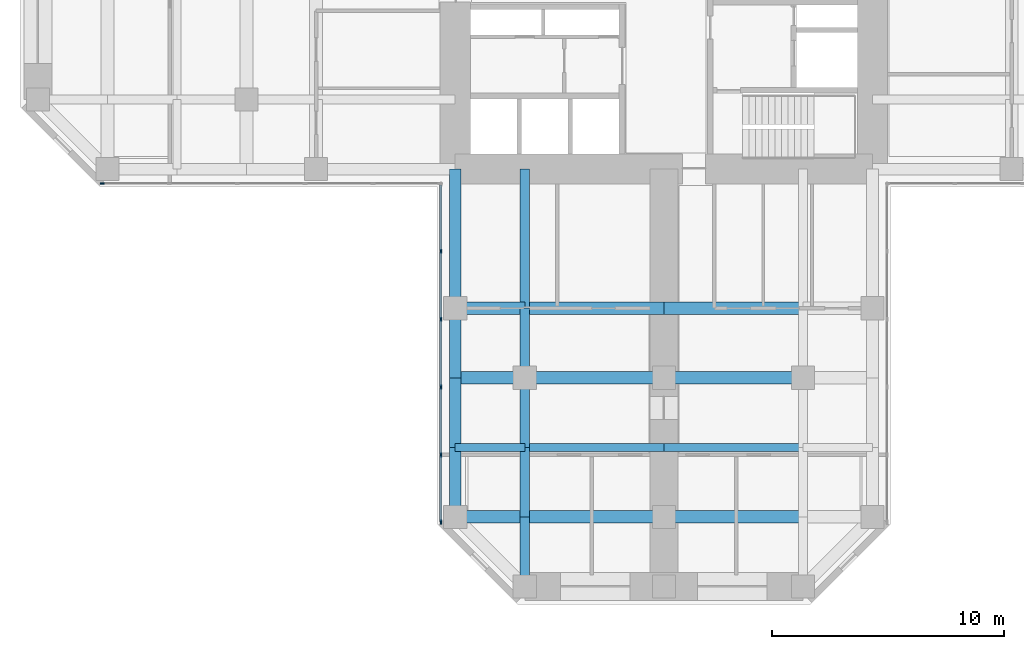
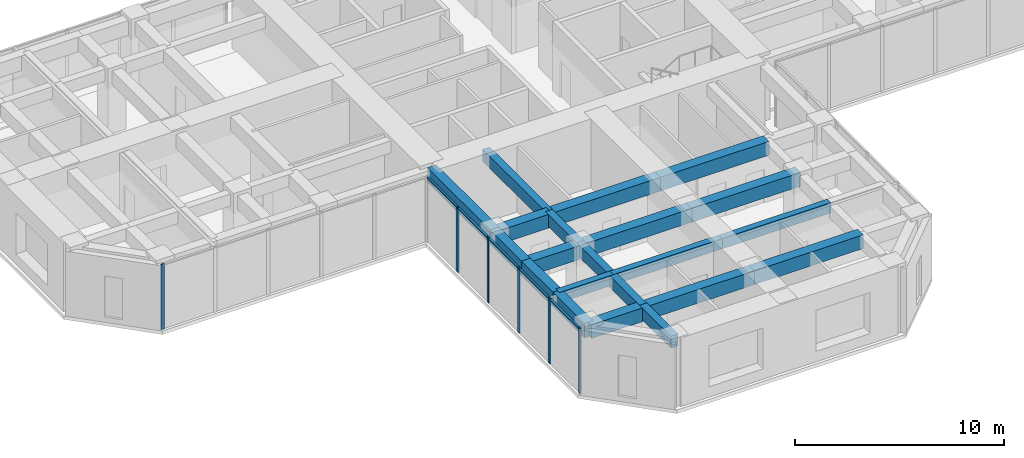
# One storey, part 2 of 13: 21 beams, 11 members, 2 elements without a shape of their own.
"""IFC4 building model written with IfcOpenShell, lengths in metres."""

import ifcopenshell
import ifcopenshell.guid

model = None  # the IFC model being written
_history = None  # IfcOwnerHistory: only IFC2X3 demands one
_inside = {}  # id of a spatial element -> (the spatial element, [elements in it])
_under = {}  # id of a project, library or spatial element -> (it, [spatial elements below it])
_declared = {}  # id of a project -> (the project, [libraries it declares])
_typed = {}  # id of a type object -> (the type object, [elements of that type])
_made_of = {}  # id of a material, layer set ... -> (it, [elements and type objects made of it])


def new_model(schema):
    """Start an empty IFC model of exactly this schema.

    Asked for "IFC4X3", IfcOpenShell would pick the latest addendum, in which some entities
    have other attributes; the version numbers below select the first issue.
    IFC2X3 requires an IfcOwnerHistory on every rooted entity: one is made here for all.
    """
    global model, _history
    if schema == "IFC4X3":
        model = ifcopenshell.file(schema_version=(4, 3, 0, 0))
    else:
        model = ifcopenshell.file(schema=schema)
    _inside.clear()
    _under.clear()
    _declared.clear()
    _typed.clear()
    _made_of.clear()
    _history = None
    if model.schema == "IFC2X3":
        org = make("IfcOrganization", Name="unknown")
        user = make(
            "IfcPersonAndOrganization",
            ThePerson=make("IfcPerson", FamilyName="unknown"),
            TheOrganization=org,
        )
        app = make(
            "IfcApplication",
            ApplicationDeveloper=org,
            Version="unknown",
            ApplicationFullName="unknown",
            ApplicationIdentifier="unknown",
        )
        _history = make(
            "IfcOwnerHistory",
            OwningUser=user,
            OwningApplication=app,
            ChangeAction="ADDED",
            CreationDate=0,
        )
    return model


def make(cls, **values):
    """One entity of the class cls with the attributes given. An attribute that is None is left unset."""
    return model.create_entity(
        cls, **{name: value for name, value in values.items() if value is not None}
    )


def rooted(cls, **values):
    """An entity with a GlobalId (a new one), such as an element, a storey or a relation."""
    return make(cls, GlobalId=ifcopenshell.guid.new(), OwnerHistory=_history, **values)


def si_unit(unit_type, name, prefix=None):
    """IfcSIUnit, for example si_unit("LENGTHUNIT", "METRE", prefix="MILLI")."""
    return make("IfcSIUnit", UnitType=unit_type, Prefix=prefix, Name=name)


def assignment(units):
    """IfcUnitAssignment: the units of a project."""
    return None if units is None else make("IfcUnitAssignment", Units=units)


def point(xyz):
    """IfcCartesianPoint."""
    return None if xyz is None else make("IfcCartesianPoint", Coordinates=xyz)


def direction(xyz):
    """IfcDirection."""
    return None if xyz is None else make("IfcDirection", DirectionRatios=xyz)


def frame(location, z_axis=None, x_axis=None):
    """IfcAxis2Placement3D, a coordinate frame: its origin and axes. An axis left out is left unset."""
    return make(
        "IfcAxis2Placement3D",
        Location=point(location),
        Axis=direction(z_axis),
        RefDirection=direction(x_axis),
    )


def frame_2d(location, x_axis=None):
    """IfcAxis2Placement2D, a coordinate frame in the plane: its origin and x axis."""
    return make(
        "IfcAxis2Placement2D", Location=point(location), RefDirection=direction(x_axis)
    )


def origin():
    """The frame at (0, 0, 0) with its axes left unset."""
    return frame((0.0, 0.0, 0.0))


def origin_2d():
    """The frame at (0, 0) in the plane with its x axis left unset."""
    return frame_2d((0.0, 0.0))


def place(relative_to, where):
    """IfcLocalPlacement: puts the frame where relative to a parent placement (None: the world)."""
    return make(
        "IfcLocalPlacement", PlacementRelTo=relative_to, RelativePlacement=where
    )


def context(
    kind, dimensions, precision=None, world=None, true_north=None, identifier=None
):
    """IfcGeometricRepresentationContext, for example the 3D "Model" context."""
    return make(
        "IfcGeometricRepresentationContext",
        ContextIdentifier=identifier,
        ContextType=kind,
        CoordinateSpaceDimension=dimensions,
        Precision=precision,
        WorldCoordinateSystem=world,
        TrueNorth=true_north,
    )


def subcontext(parent, identifier, kind, view, scale=None):
    """IfcGeometricRepresentationSubContext, for example "Body" below "Model"."""
    return make(
        "IfcGeometricRepresentationSubContext",
        ContextIdentifier=identifier,
        ContextType=kind,
        ParentContext=parent,
        TargetScale=scale,
        TargetView=view,
    )


def project(units=None, contexts=None):
    """IfcProject with its units and contexts."""
    return rooted(
        "IfcProject",
        Name="project",
        RepresentationContexts=contexts,
        UnitsInContext=assignment(units),
    )


def spatial(cls, under=None, at=None, **own):
    """A site, building, storey or space (cls), placed at a placement, below another one or the project."""
    s = rooted(cls, ObjectPlacement=at, **own)
    if under is not None:
        _under.setdefault(under.id(), (under, []))[1].append(s)
    return s


def profile(cls, at=None, kind="AREA", **sizes):
    """A parametric profile (cls). Its sizes go by their IFC names, for example OverallWidth=200.0."""
    return make(cls, ProfileType=kind, Position=at, **sizes)


def rectangle(**sizes):
    """IfcRectangleProfileDef."""
    return profile("IfcRectangleProfileDef", **sizes)


def extrude(swept, where, along, depth):
    """IfcExtrudedAreaSolid: the profile swept, set in the frame where, extruded along a direction by depth."""
    return make(
        "IfcExtrudedAreaSolid",
        SweptArea=swept,
        Position=where,
        ExtrudedDirection=direction(along),
        Depth=depth,
    )


def shape(context_of_items, identifier, shape_type, items):
    """IfcShapeRepresentation: the items that make up one representation, for example the "Body"."""
    return make(
        "IfcShapeRepresentation",
        ContextOfItems=context_of_items,
        RepresentationIdentifier=identifier,
        RepresentationType=shape_type,
        Items=items,
    )


def material(Name=None, Category=None):
    """IfcMaterial."""
    return make("IfcMaterial", Name=Name, Category=Category)


def material_profile(
    of_material, cross_section, Name=None, Category=None, Priority=None
):
    """IfcMaterialProfile: a cross section and its material."""
    return make(
        "IfcMaterialProfile",
        Name=Name,
        Material=of_material,
        Profile=cross_section,
        Priority=Priority,
        Category=Category,
    )


def profile_set(profiles, Name=None, composite=None):
    """IfcMaterialProfileSet."""
    return make(
        "IfcMaterialProfileSet",
        Name=Name,
        MaterialProfiles=profiles,
        CompositeProfile=composite,
    )


def made_of(thing, what):
    """Note that an element or type object is made of a material, layer set ...; save() writes the relation."""
    if what is not None:
        _made_of.setdefault(what.id(), (what, []))[1].append(thing)
    return thing


def type_object(cls, material=None, **own):
    """A type object (cls), such as IfcWallType, which elements share."""
    return made_of(rooted(cls, **own), material)


def element(
    cls,
    number,
    at=None,
    inside=None,
    cuts=None,
    type_object=None,
    material=None,
    context=None,
    identifier="Body",
    shape_type=None,
    held_by="IfcProductDefinitionShape",
    body=None,
    shapes=None,
    **own,
):
    """One element of the class cls, such as IfcWall. Its Tag is "e" and its number.

    at: its placement. inside: the storey or other place that contains it. cuts: it is an
    opening in that element (IfcRelVoidsElement). A single representation is given by context,
    identifier, shape_type and body (its items); several are given by shapes. held_by: the class
    of the entity that holds the representations. save() writes the other relations.
    """
    e = rooted(cls, Tag="e%d" % number, ObjectPlacement=at, **own)
    if body is not None:
        shapes = [shape(context, identifier, shape_type, body)]
    if shapes is not None:
        e.Representation = make(held_by, Representations=shapes)
    if inside is not None:
        _inside.setdefault(inside.id(), (inside, []))[1].append(e)
    if cuts is not None:
        rooted(
            "IfcRelVoidsElement", RelatingBuildingElement=cuts, RelatedOpeningElement=e
        )
    if type_object is not None:
        _typed.setdefault(type_object.id(), (type_object, []))[1].append(e)
    return made_of(e, material)


def aggregate(whole, parts):
    """IfcRelAggregates: a whole, such as a stair, and the parts it consists of."""
    return rooted("IfcRelAggregates", RelatingObject=whole, RelatedObjects=parts)


def save(model, path):
    """Write the relations noted so far, then the file.

    IfcRelAggregates (storeys below a building ...), IfcRelContainedInSpatialStructure (elements
    in a storey), IfcRelDefinesByType, IfcRelAssociatesMaterial and IfcRelDeclares: one each for
    every whole, place, type object, material and project.
    """
    for whole, parts in _under.values():
        aggregate(whole, parts)
    for where, things in _inside.values():
        rooted(
            "IfcRelContainedInSpatialStructure",
            RelatedElements=things,
            RelatingStructure=where,
        )
    for kind, things in _typed.values():
        rooted("IfcRelDefinesByType", RelatedObjects=things, RelatingType=kind)
    for what, things in _made_of.values():
        rooted("IfcRelAssociatesMaterial", RelatedObjects=things, RelatingMaterial=what)
    for by, libraries in _declared.values():
        rooted("IfcRelDeclares", RelatingContext=by, RelatedDefinitions=libraries)
    model.write(path)


model = new_model("IFC4")

# Units and contexts
model_context = context("Model", 3, precision=1e-05, world=origin(), true_north=direction((0.0, 1.0)))
body_context = subcontext(model_context, "Body", "Model", "MODEL_VIEW")
ifc_project = project(units=[si_unit("LENGTHUNIT", "METRE"), si_unit("AREAUNIT", "SQUARE_METRE"), si_unit("VOLUMEUNIT", "CUBIC_METRE"), si_unit("PLANEANGLEUNIT", "RADIAN"), si_unit("MASSUNIT", "GRAM", prefix="KILO")], contexts=[model_context])

# Site, building, storey
site_placement = place(None, origin())
site = spatial("IfcSite", under=ifc_project, at=site_placement, CompositionType="ELEMENT")
building_placement = place(site_placement, origin())
building = spatial("IfcBuilding", under=site, at=building_placement, Name="Torre Cruceta", CompositionType="ELEMENT")
storey_placement = place(building_placement, frame((0.0, 0.0, 156.5)))
storey = spatial("IfcBuildingStorey", under=building, at=storey_placement, Name="L38", CompositionType="ELEMENT", Elevation=156.5)

# Beams
ifc_material_1 = material(Name="Concrete G60 (fck 60 MPa)", Category="concrete")
ifc_material_profile_1 = material_profile(ifc_material_1, rectangle(XDim=0.39990234375, YDim=0.699951171875, at=origin_2d()), Name="RC 400X700")
ifc_profile_set_1 = profile_set([ifc_material_profile_1], Name="Concrete G60 (fck 60 MPa)")
beam_type_1 = type_object("IfcBeamType", Name="COLUMN LINE BEAM RC 400X700", PredefinedType="BEAM", material=ifc_profile_set_1)
beam_1_placement = place(storey_placement, frame((-6.0, -9.0, 3.449951171875), z_axis=(0.0, -1.0, 0.0), x_axis=(1.0, 0.0, 0.0)))
element("IfcBeam", 1, at=beam_1_placement, inside=storey, type_object=beam_type_1, Name="LB5 L38 S col- 1", PredefinedType="BEAM", context=body_context, shape_type="SweptSolid", body=[
    extrude(rectangle(XDim=0.39990234375, YDim=0.699951171875, at=origin_2d()), origin(), (0.0, 0.0, 1.0), 6.0),
])
for number, where, z_axis, x_axis, name in (
    (2, (-6.0, -15.0, 3.449951171875), (0.0, -1.0, 0.0), (1.0, 0.0, 0.0), "LB5 L38 S col- 2"),
    (3, (-6.0, -18.0, 3.449951171875), (0.0, -1.0, 0.0), (1.0, 0.0, 0.0), "LB5 L38 S col- 3"),
    (4, (-6.0, -21.0, 3.449951171875), (0.0, -1.0, 0.0), (1.0, 0.0, 0.0), "LB5 L38 S col- 4"),
    (5, (-6.0, -24.0, 3.449951171875), (0.0, -1.0, 0.0), (1.0, 0.0, 0.0), "LB5 L38 S col- 5"),
):
    element("IfcBeam", number, at=place(storey_placement, frame(where, z_axis=z_axis, x_axis=x_axis)), inside=storey, type_object=beam_type_1, Name=name, PredefinedType="BEAM", context=body_context, shape_type="SweptSolid", body=[
        extrude(rectangle(XDim=0.39990234375, YDim=0.699951171875, at=origin_2d()), origin(), (0.0, 0.0, 1.0), 3.0),
    ])
ifc_material_2 = material(Name="Concrete G60 (fck 60 MPa)", Category="concrete")
ifc_material_profile_2 = material_profile(ifc_material_2, rectangle(XDim=0.550048828125, YDim=0.800048828125, at=origin_2d()), Name="RC 550X800")
ifc_profile_set_2 = profile_set([ifc_material_profile_2], Name="Concrete G60 (fck 60 MPa)")
beam_type_2 = type_object("IfcBeamType", Name="CROSS BEAM RC 550X800", PredefinedType="BEAM", material=ifc_profile_set_2)
beam_2_placement = place(storey_placement, frame((-9.0, -15.0, 3.39990234375), z_axis=(1.0, 0.0, 0.0), x_axis=(0.0, 1.0, 0.0)))
element("IfcBeam", 6, at=beam_2_placement, inside=storey, type_object=beam_type_2, Name="GB5 L38 S cross15 1", PredefinedType="BEAM", context=body_context, shape_type="SweptSolid", body=[
    extrude(rectangle(XDim=0.550048828125, YDim=0.800048828125, at=origin_2d()), origin(), (0.0, 0.0, 1.0), 3.0),
])
for number, where, z_axis, x_axis, name in (
    (7, (-6.0, -15.0, 3.39990234375), (1.0, 0.0, 0.0), (0.0, 1.0, 0.0), "GB5 L38 S cross15 2"),
    (8, (0.0, -15.0, 3.39990234375), (1.0, 0.0, 0.0), (0.0, 1.0, 0.0), "GB5 L38 S cross15 3"),
):
    element("IfcBeam", number, at=place(storey_placement, frame(where, z_axis=z_axis, x_axis=x_axis)), inside=storey, type_object=beam_type_2, Name=name, PredefinedType="BEAM", context=body_context, shape_type="SweptSolid", body=[
        extrude(rectangle(XDim=0.550048828125, YDim=0.800048828125, at=origin_2d()), origin(), (0.0, 0.0, 1.0), 6.0),
    ])
beam_3_placement = place(storey_placement, frame((-9.0, -18.0, 3.39990234375), z_axis=(1.0, 0.0, 0.0), x_axis=(0.0, 1.0, 0.0)))
element("IfcBeam", 9, at=beam_3_placement, inside=storey, type_object=beam_type_2, Name="GB5 L38 S cross18 1", PredefinedType="BEAM", context=body_context, shape_type="SweptSolid", body=[
    extrude(rectangle(XDim=0.550048828125, YDim=0.800048828125, at=origin_2d()), origin(), (0.0, 0.0, 1.0), 3.0),
])
for number, where, z_axis, x_axis, name in (
    (10, (-6.0, -18.0, 3.39990234375), (1.0, 0.0, 0.0), (0.0, 1.0, 0.0), "GB5 L38 S cross18 2"),
    (11, (0.0, -18.0, 3.39990234375), (1.0, 0.0, 0.0), (0.0, 1.0, 0.0), "GB5 L38 S cross18 3"),
):
    element("IfcBeam", number, at=place(storey_placement, frame(where, z_axis=z_axis, x_axis=x_axis)), inside=storey, type_object=beam_type_2, Name=name, PredefinedType="BEAM", context=body_context, shape_type="SweptSolid", body=[
        extrude(rectangle(XDim=0.550048828125, YDim=0.800048828125, at=origin_2d()), origin(), (0.0, 0.0, 1.0), 6.0),
    ])
beam_4_placement = place(storey_placement, frame((-9.0, -24.0, 3.39990234375), z_axis=(1.0, 0.0, 0.0), x_axis=(0.0, 1.0, 0.0)))
element("IfcBeam", 12, at=beam_4_placement, inside=storey, type_object=beam_type_2, Name="GB5 L38 S cross24 1", PredefinedType="BEAM", context=body_context, shape_type="SweptSolid", body=[
    extrude(rectangle(XDim=0.550048828125, YDim=0.800048828125, at=origin_2d()), origin(), (0.0, 0.0, 1.0), 3.0),
])
for number, where, z_axis, x_axis, name in (
    (13, (-6.0, -24.0, 3.39990234375), (1.0, 0.0, 0.0), (0.0, 1.0, 0.0), "GB5 L38 S cross24 2"),
    (14, (0.0, -24.0, 3.39990234375), (1.0, 0.0, 0.0), (0.0, 1.0, 0.0), "GB5 L38 S cross24 3"),
):
    element("IfcBeam", number, at=place(storey_placement, frame(where, z_axis=z_axis, x_axis=x_axis)), inside=storey, type_object=beam_type_2, Name=name, PredefinedType="BEAM", context=body_context, shape_type="SweptSolid", body=[
        extrude(rectangle(XDim=0.550048828125, YDim=0.800048828125, at=origin_2d()), origin(), (0.0, 0.0, 1.0), 6.0),
    ])

# Curtain wall, member
ifc_material_3 = material(Name="Aluminium unitised curtain wall", Category="aluminium")
curtain_wall_type = type_object("IfcCurtainWallType", Name="CURTAIN WALL CW-B OFFICE MID RISE", PredefinedType="USERDEFINED", material=ifc_material_3)
curtain_wall_1_placement = place(storey_placement, origin())
curtain_wall_1 = element("IfcCurtainWall", 15, at=curtain_wall_1_placement, inside=storey, type_object=curtain_wall_type, Name="CW-B L38 W side 14", ObjectType="UNITISED", PredefinedType="USERDEFINED")
ifc_material_4 = material(Name="Aluminium mullion", Category="aluminium")
ifc_material_profile_3 = material_profile(ifc_material_4, rectangle(XDim=0.06494140625, YDim=0.179931640625, at=origin_2d()), Name="AL 65X180")
ifc_profile_set_3 = profile_set([ifc_material_profile_3], Name="Aluminium mullion")
member_type_1 = type_object("IfcMemberType", Name="CW-B MULLION 65X180", PredefinedType="MULLION", material=ifc_profile_set_3)
member_1_placement = place(storey_placement, frame((-24.224365234375, -9.6201171875, 0.0), z_axis=(0.0, 0.0, 1.0), x_axis=(0.0, 1.0, 0.0)))
member_1 = element("IfcMember", 16, at=member_1_placement, type_object=member_type_1, Name="CW-B mullion 1", PredefinedType="MULLION", context=body_context, shape_type="SweptSolid", body=[
    extrude(rectangle(XDim=0.06494140625, YDim=0.179931640625, at=origin_2d()), origin(), (0.0, 0.0, 1.0), 3.800048828125),
])
aggregate(curtain_wall_1, [member_1])

# Curtain wall, members
curtain_wall_2_placement = place(storey_placement, origin())
curtain_wall_2 = element("IfcCurtainWall", 17, at=curtain_wall_2_placement, inside=storey, type_object=curtain_wall_type, Name="CW-B L38 S side 15", ObjectType="UNITISED", PredefinedType="USERDEFINED")
member_2_placement = place(storey_placement, frame((-9.6201171875, -12.54736328125, 0.0), z_axis=(0.0, 0.0, 1.0), x_axis=(1.0, 0.0, 0.0)))
member_2 = element("IfcMember", 18, at=member_2_placement, type_object=member_type_1, Name="CW-B mullion 2", PredefinedType="MULLION", context=body_context, shape_type="SweptSolid", body=[
    extrude(rectangle(XDim=0.06494140625, YDim=0.179931640625, at=origin_2d()), origin(), (0.0, 0.0, 1.0), 3.800048828125),
])
member_3_placement = place(storey_placement, frame((-9.6201171875, -15.474609375, 0.0), z_axis=(0.0, 0.0, 1.0), x_axis=(1.0, 0.0, 0.0)))
member_3 = element("IfcMember", 19, at=member_3_placement, type_object=member_type_1, Name="CW-B mullion 3", PredefinedType="MULLION", context=body_context, shape_type="SweptSolid", body=[
    extrude(rectangle(XDim=0.06494140625, YDim=0.179931640625, at=origin_2d()), origin(), (0.0, 0.0, 1.0), 3.800048828125),
])
member_4_placement = place(storey_placement, frame((-9.6201171875, -18.402099609375, 0.0), z_axis=(0.0, 0.0, 1.0), x_axis=(1.0, 0.0, 0.0)))
member_4 = element("IfcMember", 20, at=member_4_placement, type_object=member_type_1, Name="CW-B mullion 4", PredefinedType="MULLION", context=body_context, shape_type="SweptSolid", body=[
    extrude(rectangle(XDim=0.06494140625, YDim=0.179931640625, at=origin_2d()), origin(), (0.0, 0.0, 1.0), 3.800048828125),
])
member_5_placement = place(storey_placement, frame((-9.6201171875, -21.329345703125, 0.0), z_axis=(0.0, 0.0, 1.0), x_axis=(1.0, 0.0, 0.0)))
member_5 = element("IfcMember", 21, at=member_5_placement, type_object=member_type_1, Name="CW-B mullion 5", PredefinedType="MULLION", context=body_context, shape_type="SweptSolid", body=[
    extrude(rectangle(XDim=0.06494140625, YDim=0.179931640625, at=origin_2d()), origin(), (0.0, 0.0, 1.0), 3.800048828125),
])
member_6_placement = place(storey_placement, frame((-9.6201171875, -24.224365234375, 0.0), z_axis=(0.0, 0.0, 1.0), x_axis=(1.0, 0.0, 0.0)))
member_6 = element("IfcMember", 22, at=member_6_placement, type_object=member_type_1, Name="CW-B mullion 6", PredefinedType="MULLION", context=body_context, shape_type="SweptSolid", body=[
    extrude(rectangle(XDim=0.06494140625, YDim=0.179931640625, at=origin_2d()), origin(), (0.0, 0.0, 1.0), 3.800048828125),
])
ifc_material_5 = material(Name="Aluminium transom", Category="aluminium")
ifc_material_profile_4 = material_profile(ifc_material_5, rectangle(XDim=0.110107421875, YDim=0.06494140625, at=origin_2d()), Name="AL 110X65")
ifc_profile_set_4 = profile_set([ifc_material_profile_4], Name="Aluminium transom")
member_type_2 = type_object("IfcMemberType", Name="CW-B TRANSOM 65X110", PredefinedType="USERDEFINED", material=ifc_profile_set_4)
member_7_placement = place(storey_placement, frame((-9.6201171875, -9.68505859375, 3.767578125), z_axis=(0.0, -1.0, 0.0), x_axis=(1.0, 0.0, 0.0)))
member_7 = element("IfcMember", 23, at=member_7_placement, type_object=member_type_2, Name="CW-B transom 1", ObjectType="TRANSOM", PredefinedType="USERDEFINED", context=body_context, shape_type="SweptSolid", body=[
    extrude(rectangle(XDim=0.110107421875, YDim=0.06494140625, at=origin_2d()), origin(), (0.0, 0.0, 1.0), 2.829833984375),
])
member_8_placement = place(storey_placement, frame((-9.6201171875, -12.579833984375, 3.767578125), z_axis=(0.0, -1.0, 0.0), x_axis=(1.0, 0.0, 0.0)))
member_8 = element("IfcMember", 24, at=member_8_placement, type_object=member_type_2, Name="CW-B transom 2", ObjectType="TRANSOM", PredefinedType="USERDEFINED", context=body_context, shape_type="SweptSolid", body=[
    extrude(rectangle(XDim=0.110107421875, YDim=0.06494140625, at=origin_2d()), origin(), (0.0, 0.0, 1.0), 2.8623046875),
])
member_9_placement = place(storey_placement, frame((-9.6201171875, -15.50732421875, 3.767578125), z_axis=(0.0, -1.0, 0.0), x_axis=(1.0, 0.0, 0.0)))
member_9 = element("IfcMember", 25, at=member_9_placement, type_object=member_type_2, Name="CW-B transom 3", ObjectType="TRANSOM", PredefinedType="USERDEFINED", context=body_context, shape_type="SweptSolid", body=[
    extrude(rectangle(XDim=0.110107421875, YDim=0.06494140625, at=origin_2d()), origin(), (0.0, 0.0, 1.0), 2.8623046875),
])
member_10_placement = place(storey_placement, frame((-9.6201171875, -18.4345703125, 3.767578125), z_axis=(0.0, -1.0, 0.0), x_axis=(1.0, 0.0, 0.0)))
member_10 = element("IfcMember", 26, at=member_10_placement, type_object=member_type_2, Name="CW-B transom 4", ObjectType="TRANSOM", PredefinedType="USERDEFINED", context=body_context, shape_type="SweptSolid", body=[
    extrude(rectangle(XDim=0.110107421875, YDim=0.06494140625, at=origin_2d()), origin(), (0.0, 0.0, 1.0), 2.8623046875),
])
member_11_placement = place(storey_placement, frame((-9.6201171875, -21.362060546875, 3.767578125), z_axis=(0.0, -1.0, 0.0), x_axis=(1.0, 0.0, 0.0)))
member_11 = element("IfcMember", 27, at=member_11_placement, type_object=member_type_2, Name="CW-B transom 5", ObjectType="TRANSOM", PredefinedType="USERDEFINED", context=body_context, shape_type="SweptSolid", body=[
    extrude(rectangle(XDim=0.110107421875, YDim=0.06494140625, at=origin_2d()), origin(), (0.0, 0.0, 1.0), 2.829833984375),
])
aggregate(curtain_wall_2, [member_2, member_3, member_4, member_5, member_6, member_7, member_8, member_9, member_10, member_11])

# Beams
ifc_material_6 = material(Name="Concrete G60 (fck 60 MPa)", Category="concrete")
ifc_material_profile_5 = material_profile(ifc_material_6, rectangle(XDim=0.35009765625, YDim=0.60009765625, at=origin_2d()), Name="RC 350X600")
ifc_profile_set_5 = profile_set([ifc_material_profile_5], Name="Concrete G60 (fck 60 MPa)")
beam_type_3 = type_object("IfcBeamType", Name="SECONDARY BEAM RC 350X600", PredefinedType="JOIST", material=ifc_profile_set_5)
beam_5_placement = place(storey_placement, frame((-9.0, -21.0, 3.5), z_axis=(1.0, 0.0, 0.0), x_axis=(0.0, 1.0, 0.0)))
element("IfcBeam", 28, at=beam_5_placement, inside=storey, type_object=beam_type_3, Name="JB5 L38 S sec21 1", PredefinedType="JOIST", context=body_context, shape_type="SweptSolid", body=[
    extrude(rectangle(XDim=0.35009765625, YDim=0.60009765625, at=origin_2d()), origin(), (0.0, 0.0, 1.0), 3.0),
])
for number, where, z_axis, x_axis, name in (
    (29, (-6.0, -21.0, 3.5), (1.0, 0.0, 0.0), (0.0, 1.0, 0.0), "JB5 L38 S sec21 2"),
    (30, (0.0, -21.0, 3.5), (1.0, 0.0, 0.0), (0.0, 1.0, 0.0), "JB5 L38 S sec21 3"),
):
    element("IfcBeam", number, at=place(storey_placement, frame(where, z_axis=z_axis, x_axis=x_axis)), inside=storey, type_object=beam_type_3, Name=name, PredefinedType="JOIST", context=body_context, shape_type="SweptSolid", body=[
        extrude(rectangle(XDim=0.35009765625, YDim=0.60009765625, at=origin_2d()), origin(), (0.0, 0.0, 1.0), 6.0),
    ])
ifc_material_7 = material(Name="Concrete G60 (fck 60 MPa)", Category="concrete")
ifc_material_profile_6 = material_profile(ifc_material_7, rectangle(XDim=0.5, YDim=0.85009765625, at=origin_2d()), Name="RC 500X850")
ifc_profile_set_6 = profile_set([ifc_material_profile_6], Name="Concrete G60 (fck 60 MPa)")
beam_type_4 = type_object("IfcBeamType", Name="SPANDREL BEAM RC 500X850", PredefinedType="SPANDREL", material=ifc_profile_set_6)
beam_6_placement = place(storey_placement, frame((-9.0, -9.0, 3.375), z_axis=(0.0, -1.0, 0.0), x_axis=(1.0, 0.0, 0.0)))
element("IfcBeam", 31, at=beam_6_placement, inside=storey, type_object=beam_type_4, Name="SB5 L38 S side- 1", PredefinedType="SPANDREL", context=body_context, shape_type="SweptSolid", body=[
    extrude(rectangle(XDim=0.5, YDim=0.85009765625, at=origin_2d()), origin(), (0.0, 0.0, 1.0), 6.0),
])
for number, where, z_axis, x_axis, name in (
    (32, (-9.0, -15.0, 3.375), (0.0, -1.0, 0.0), (1.0, 0.0, 0.0), "SB5 L38 S side- 2"),
    (33, (-9.0, -18.0, 3.375), (0.0, -1.0, 0.0), (1.0, 0.0, 0.0), "SB5 L38 S side- 3"),
    (34, (-9.0, -21.0, 3.375), (0.0, -1.0, 0.0), (1.0, 0.0, 0.0), "SB5 L38 S side- 4"),
):
    element("IfcBeam", number, at=place(storey_placement, frame(where, z_axis=z_axis, x_axis=x_axis)), inside=storey, type_object=beam_type_4, Name=name, PredefinedType="SPANDREL", context=body_context, shape_type="SweptSolid", body=[
        extrude(rectangle(XDim=0.5, YDim=0.85009765625, at=origin_2d()), origin(), (0.0, 0.0, 1.0), 3.0),
    ])

save(model, "model.ifc")
